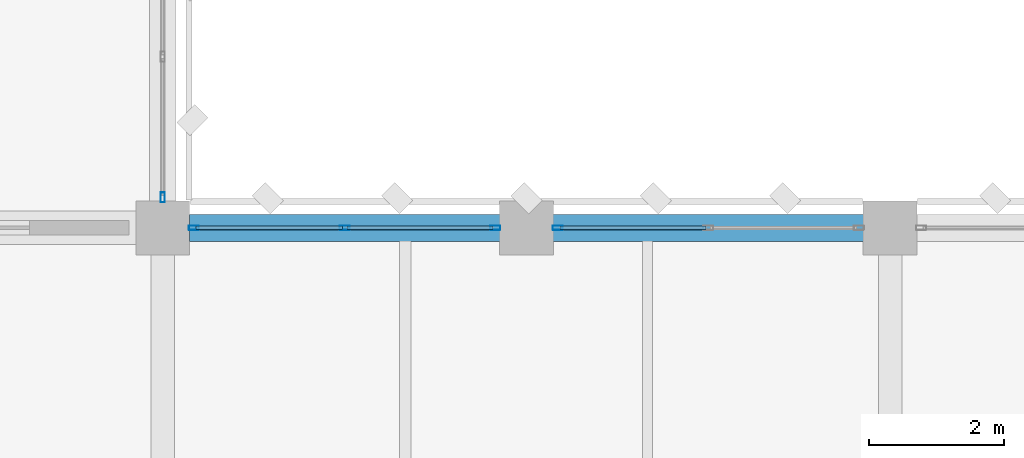
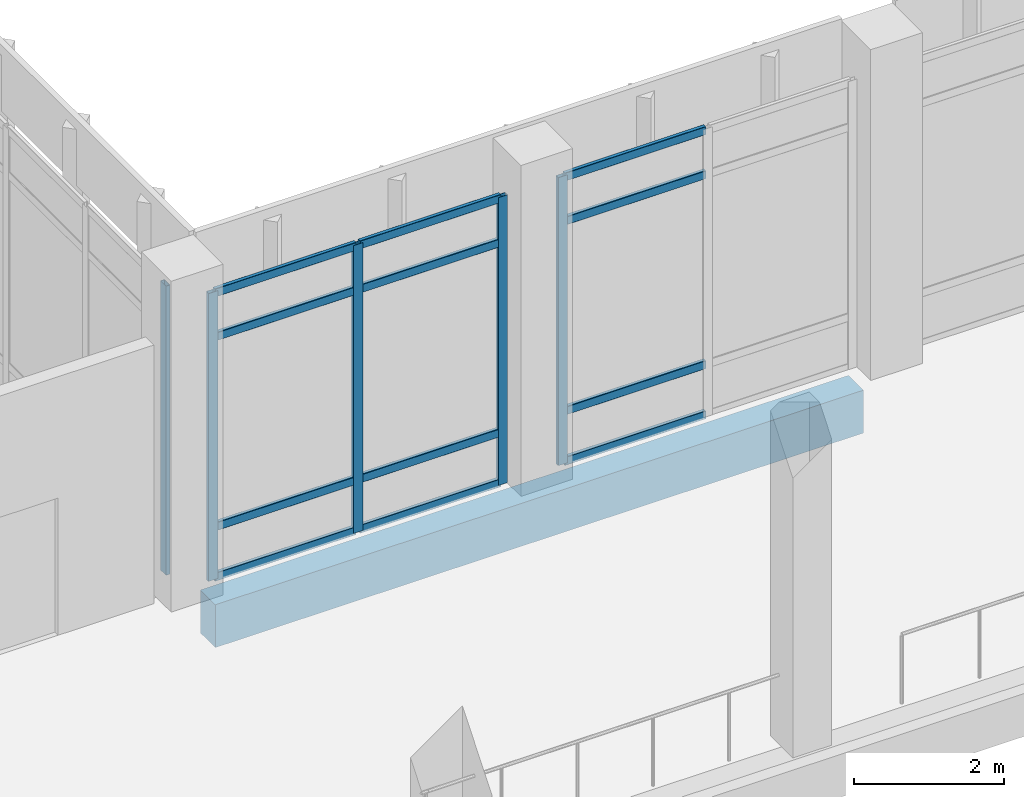
# One storey, part 20 of 180: 17 members, 1 beam, 3 elements without a shape of their own.
"""IFC4 building model written with IfcOpenShell, lengths in metres."""

from ifc_helpers import new_model, si_unit, direction, frame, origin, origin_2d, place, context, subcontext, project, spatial, rectangle, hollow_rectangle, extrude, material, material_profile, profile_set, type_object, element, aggregate, save


model = new_model("IFC4")

# Units and contexts
model_context = context("Model", 3, precision=1e-05, world=origin(), true_north=direction((0.0, 1.0)))
body_context = subcontext(model_context, "Body", "Model", "MODEL_VIEW")
ifc_project = project(units=[si_unit("LENGTHUNIT", "METRE"), si_unit("AREAUNIT", "SQUARE_METRE"), si_unit("VOLUMEUNIT", "CUBIC_METRE"), si_unit("PLANEANGLEUNIT", "RADIAN"), si_unit("MASSUNIT", "GRAM", prefix="KILO")], contexts=[model_context])

# Site, building, storey
site_placement = place(None, origin())
site = spatial("IfcSite", under=ifc_project, at=site_placement, CompositionType="ELEMENT")
building_placement = place(site_placement, origin())
building = spatial("IfcBuilding", under=site, at=building_placement, Name="Lusvemor Sports Hall", CompositionType="ELEMENT")
storey_placement = place(building_placement, frame((0.0, 0.0, 5.39990234375)))
storey = spatial("IfcBuildingStorey", under=building, at=storey_placement, Name="L01", CompositionType="ELEMENT", Elevation=5.39990234375)

# Curtain wall, members
ifc_material_1 = material(Name="Thermally broken bronze-anodized aluminium", Category="aluminium")
curtain_wall_type_1 = type_object("IfcCurtainWallType", Name="CW_COURT_C", PredefinedType="NOTDEFINED", material=ifc_material_1)
curtain_wall_1_placement = place(storey_placement, origin())
curtain_wall_1 = element("IfcCurtainWall", 1, at=curtain_wall_1_placement, inside=storey, type_object=curtain_wall_type_1, Name="Curtain Wall CW-V1N-L01-2-A", PredefinedType="NOTDEFINED")
ifc_material_2 = material(Name="Thermally broken bronze-anodized aluminium", Category="aluminium")
ifc_material_profile_1 = material_profile(ifc_material_2, hollow_rectangle(XDim=0.06494140625, YDim=0.14990234375, WallThickness=0.00390625, InnerFilletRadius=0.00390625, OuterFilletRadius=0.008056640625, at=origin_2d()), Name="CWMUL150x65x4")
ifc_profile_set_1 = profile_set([ifc_material_profile_1], Name="Thermally broken bronze-anodized aluminium")
member_type_1 = type_object("IfcMemberType", Name="CW_MUL_B", PredefinedType="MULLION", material=ifc_profile_set_1)
member_1_placement = place(storey_placement, frame((22.0625, 46.800048828125, 0.0), z_axis=(0.0, 0.0, 1.0), x_axis=(0.0, 1.0, 0.0)))
member_1 = element("IfcMember", 2, at=member_1_placement, type_object=member_type_1, Name="CW03 mullion 1", PredefinedType="MULLION", context=body_context, shape_type="SweptSolid", body=[
    extrude(hollow_rectangle(XDim=0.06494140625, YDim=0.14990234375, WallThickness=0.00390625, InnerFilletRadius=0.00390625, OuterFilletRadius=0.008056640625, at=origin_2d()), origin(), (0.0, 0.0, 1.0), 4.7001953125),
])
member_2_placement = place(storey_placement, frame((24.300048828125, 46.800048828125, 0.0), z_axis=(0.0, 0.0, 1.0), x_axis=(0.0, 1.0, 0.0)))
member_2 = element("IfcMember", 3, at=member_2_placement, type_object=member_type_1, Name="CW03 mullion 2", PredefinedType="MULLION", context=body_context, shape_type="SweptSolid", body=[
    extrude(hollow_rectangle(XDim=0.06494140625, YDim=0.14990234375, WallThickness=0.00390625, InnerFilletRadius=0.00390625, OuterFilletRadius=0.008056640625, at=origin_2d()), origin(), (0.0, 0.0, 1.0), 4.7001953125),
])
member_3_placement = place(storey_placement, frame((26.53759765625, 46.800048828125, 0.0), z_axis=(0.0, 0.0, 1.0), x_axis=(0.0, 1.0, 0.0)))
member_3 = element("IfcMember", 4, at=member_3_placement, type_object=member_type_1, Name="CW03 mullion 3", PredefinedType="MULLION", context=body_context, shape_type="SweptSolid", body=[
    extrude(hollow_rectangle(XDim=0.06494140625, YDim=0.14990234375, WallThickness=0.00390625, InnerFilletRadius=0.00390625, OuterFilletRadius=0.008056640625, at=origin_2d()), origin(), (0.0, 0.0, 1.0), 4.7001953125),
])

# Curtain wall, member
curtain_wall_2_placement = place(storey_placement, origin())
curtain_wall_2 = element("IfcCurtainWall", 5, at=curtain_wall_2_placement, inside=storey, type_object=curtain_wall_type_1, Name="Curtain Wall CW-V1N-L01-2-B", PredefinedType="NOTDEFINED")
member_4_placement = place(storey_placement, frame((27.46240234375, 46.800048828125, 0.0), z_axis=(0.0, 0.0, 1.0), x_axis=(0.0, 1.0, 0.0)))
member_4 = element("IfcMember", 6, at=member_4_placement, type_object=member_type_1, Name="CW03 mullion 1", PredefinedType="MULLION", context=body_context, shape_type="SweptSolid", body=[
    extrude(hollow_rectangle(XDim=0.06494140625, YDim=0.14990234375, WallThickness=0.00390625, InnerFilletRadius=0.00390625, OuterFilletRadius=0.008056640625, at=origin_2d()), origin(), (0.0, 0.0, 1.0), 4.7001953125),
])

ifc_material_3 = material(Name="Thermally broken bronze-anodized aluminium", Category="aluminium")
curtain_wall_type_2 = type_object("IfcCurtainWallType", Name="CW_WING_B", PredefinedType="NOTDEFINED", material=ifc_material_3)
curtain_wall_3_placement = place(storey_placement, origin())
curtain_wall_3 = element("IfcCurtainWall", 7, at=curtain_wall_3_placement, inside=storey, type_object=curtain_wall_type_2, Name="Curtain Wall CW-L01-E-4-0", PredefinedType="NOTDEFINED")
member_5_placement = place(storey_placement, frame((21.60009765625, 47.25244140625, 0.0), z_axis=(0.0, 0.0, 1.0), x_axis=(1.0, 0.0, 0.0)))
member_5 = element("IfcMember", 8, at=member_5_placement, type_object=member_type_1, Name="CW02 mullion 4", PredefinedType="MULLION", context=body_context, shape_type="SweptSolid", body=[
    extrude(hollow_rectangle(XDim=0.06494140625, YDim=0.14990234375, WallThickness=0.00390625, InnerFilletRadius=0.00390625, OuterFilletRadius=0.008056640625, at=origin_2d()), origin(), (0.0, 0.0, 1.0), 4.72021484375),
])
aggregate(curtain_wall_3, [member_5])

# Member
ifc_material_4 = material(Name="Thermally broken bronze-anodized aluminium", Category="aluminium")
ifc_material_profile_2 = material_profile(ifc_material_4, hollow_rectangle(XDim=0.06005859375, YDim=0.135009765625, WallThickness=0.00390625, InnerFilletRadius=0.00390625, OuterFilletRadius=0.008056640625, at=origin_2d()), Name="CWTRN135x60x4")
ifc_profile_set_2 = profile_set([ifc_material_profile_2], Name="Thermally broken bronze-anodized aluminium")
member_type_2 = type_object("IfcMemberType", Name="CW_TRN_B", PredefinedType="USERDEFINED", material=ifc_profile_set_2)
member_6_placement = place(storey_placement, frame((22.094970703125, 46.800048828125, 0.030029296875), z_axis=(1.0, 0.0, 0.0), x_axis=(0.0, 1.0, 0.0)))
member_6 = element("IfcMember", 9, at=member_6_placement, type_object=member_type_2, Name="CW03 transom 1.1", ObjectType="TRANSOM", PredefinedType="USERDEFINED", context=body_context, shape_type="SweptSolid", body=[
    extrude(hollow_rectangle(XDim=0.06005859375, YDim=0.135009765625, WallThickness=0.00390625, InnerFilletRadius=0.00390625, OuterFilletRadius=0.008056640625, at=origin_2d()), origin(), (0.0, 0.0, 1.0), 2.172607421875),
])

member_7_placement = place(storey_placement, frame((22.094970703125, 46.800048828125, 0.85009765625), z_axis=(1.0, 0.0, 0.0), x_axis=(0.0, 1.0, 0.0)))
member_7 = element("IfcMember", 10, at=member_7_placement, type_object=member_type_2, Name="CW03 transom 1.2", ObjectType="TRANSOM", PredefinedType="USERDEFINED", context=body_context, shape_type="SweptSolid", body=[
    extrude(hollow_rectangle(XDim=0.06005859375, YDim=0.135009765625, WallThickness=0.00390625, InnerFilletRadius=0.00390625, OuterFilletRadius=0.008056640625, at=origin_2d()), origin(), (0.0, 0.0, 1.0), 2.172607421875),
])

member_8_placement = place(storey_placement, frame((22.094970703125, 46.800048828125, 3.9501953125), z_axis=(1.0, 0.0, 0.0), x_axis=(0.0, 1.0, 0.0)))
member_8 = element("IfcMember", 11, at=member_8_placement, type_object=member_type_2, Name="CW03 transom 1.3", ObjectType="TRANSOM", PredefinedType="USERDEFINED", context=body_context, shape_type="SweptSolid", body=[
    extrude(hollow_rectangle(XDim=0.06005859375, YDim=0.135009765625, WallThickness=0.00390625, InnerFilletRadius=0.00390625, OuterFilletRadius=0.008056640625, at=origin_2d()), origin(), (0.0, 0.0, 1.0), 2.172607421875),
])

member_9_placement = place(storey_placement, frame((22.094970703125, 46.800048828125, 4.670166015625), z_axis=(1.0, 0.0, 0.0), x_axis=(0.0, 1.0, 0.0)))
member_9 = element("IfcMember", 12, at=member_9_placement, type_object=member_type_2, Name="CW03 transom 1.4", ObjectType="TRANSOM", PredefinedType="USERDEFINED", context=body_context, shape_type="SweptSolid", body=[
    extrude(hollow_rectangle(XDim=0.06005859375, YDim=0.135009765625, WallThickness=0.00390625, InnerFilletRadius=0.00390625, OuterFilletRadius=0.008056640625, at=origin_2d()), origin(), (0.0, 0.0, 1.0), 2.172607421875),
])

member_10_placement = place(storey_placement, frame((24.33251953125, 46.800048828125, 0.030029296875), z_axis=(1.0, 0.0, 0.0), x_axis=(0.0, 1.0, 0.0)))
member_10 = element("IfcMember", 13, at=member_10_placement, type_object=member_type_2, Name="CW03 transom 2.1", ObjectType="TRANSOM", PredefinedType="USERDEFINED", context=body_context, shape_type="SweptSolid", body=[
    extrude(hollow_rectangle(XDim=0.06005859375, YDim=0.135009765625, WallThickness=0.00390625, InnerFilletRadius=0.00390625, OuterFilletRadius=0.008056640625, at=origin_2d()), origin(), (0.0, 0.0, 1.0), 2.17236328125),
])

member_11_placement = place(storey_placement, frame((24.33251953125, 46.800048828125, 0.85009765625), z_axis=(1.0, 0.0, 0.0), x_axis=(0.0, 1.0, 0.0)))
member_11 = element("IfcMember", 14, at=member_11_placement, type_object=member_type_2, Name="CW03 transom 2.2", ObjectType="TRANSOM", PredefinedType="USERDEFINED", context=body_context, shape_type="SweptSolid", body=[
    extrude(hollow_rectangle(XDim=0.06005859375, YDim=0.135009765625, WallThickness=0.00390625, InnerFilletRadius=0.00390625, OuterFilletRadius=0.008056640625, at=origin_2d()), origin(), (0.0, 0.0, 1.0), 2.17236328125),
])

member_12_placement = place(storey_placement, frame((24.33251953125, 46.800048828125, 3.9501953125), z_axis=(1.0, 0.0, 0.0), x_axis=(0.0, 1.0, 0.0)))
member_12 = element("IfcMember", 15, at=member_12_placement, type_object=member_type_2, Name="CW03 transom 2.3", ObjectType="TRANSOM", PredefinedType="USERDEFINED", context=body_context, shape_type="SweptSolid", body=[
    extrude(hollow_rectangle(XDim=0.06005859375, YDim=0.135009765625, WallThickness=0.00390625, InnerFilletRadius=0.00390625, OuterFilletRadius=0.008056640625, at=origin_2d()), origin(), (0.0, 0.0, 1.0), 2.17236328125),
])

member_13_placement = place(storey_placement, frame((24.33251953125, 46.800048828125, 4.670166015625), z_axis=(1.0, 0.0, 0.0), x_axis=(0.0, 1.0, 0.0)))
member_13 = element("IfcMember", 16, at=member_13_placement, type_object=member_type_2, Name="CW03 transom 2.4", ObjectType="TRANSOM", PredefinedType="USERDEFINED", context=body_context, shape_type="SweptSolid", body=[
    extrude(hollow_rectangle(XDim=0.06005859375, YDim=0.135009765625, WallThickness=0.00390625, InnerFilletRadius=0.00390625, OuterFilletRadius=0.008056640625, at=origin_2d()), origin(), (0.0, 0.0, 1.0), 2.17236328125),
])

aggregate(curtain_wall_1, [member_1, member_2, member_3, member_6, member_7, member_8, member_9, member_10, member_11, member_12, member_13])

member_14_placement = place(storey_placement, frame((27.4951171875, 46.800048828125, 0.030029296875), z_axis=(1.0, 0.0, 0.0), x_axis=(0.0, 1.0, 0.0)))
member_14 = element("IfcMember", 17, at=member_14_placement, type_object=member_type_2, Name="CW03 transom 1.1", ObjectType="TRANSOM", PredefinedType="USERDEFINED", context=body_context, shape_type="SweptSolid", body=[
    extrude(hollow_rectangle(XDim=0.06005859375, YDim=0.135009765625, WallThickness=0.00390625, InnerFilletRadius=0.00390625, OuterFilletRadius=0.008056640625, at=origin_2d()), origin(), (0.0, 0.0, 1.0), 2.17236328125),
])

member_15_placement = place(storey_placement, frame((27.4951171875, 46.800048828125, 0.85009765625), z_axis=(1.0, 0.0, 0.0), x_axis=(0.0, 1.0, 0.0)))
member_15 = element("IfcMember", 18, at=member_15_placement, type_object=member_type_2, Name="CW03 transom 1.2", ObjectType="TRANSOM", PredefinedType="USERDEFINED", context=body_context, shape_type="SweptSolid", body=[
    extrude(hollow_rectangle(XDim=0.06005859375, YDim=0.135009765625, WallThickness=0.00390625, InnerFilletRadius=0.00390625, OuterFilletRadius=0.008056640625, at=origin_2d()), origin(), (0.0, 0.0, 1.0), 2.17236328125),
])

member_16_placement = place(storey_placement, frame((27.4951171875, 46.800048828125, 3.9501953125), z_axis=(1.0, 0.0, 0.0), x_axis=(0.0, 1.0, 0.0)))
member_16 = element("IfcMember", 19, at=member_16_placement, type_object=member_type_2, Name="CW03 transom 1.3", ObjectType="TRANSOM", PredefinedType="USERDEFINED", context=body_context, shape_type="SweptSolid", body=[
    extrude(hollow_rectangle(XDim=0.06005859375, YDim=0.135009765625, WallThickness=0.00390625, InnerFilletRadius=0.00390625, OuterFilletRadius=0.008056640625, at=origin_2d()), origin(), (0.0, 0.0, 1.0), 2.17236328125),
])

member_17_placement = place(storey_placement, frame((27.4951171875, 46.800048828125, 4.670166015625), z_axis=(1.0, 0.0, 0.0), x_axis=(0.0, 1.0, 0.0)))
member_17 = element("IfcMember", 20, at=member_17_placement, type_object=member_type_2, Name="CW03 transom 1.4", ObjectType="TRANSOM", PredefinedType="USERDEFINED", context=body_context, shape_type="SweptSolid", body=[
    extrude(hollow_rectangle(XDim=0.06005859375, YDim=0.135009765625, WallThickness=0.00390625, InnerFilletRadius=0.00390625, OuterFilletRadius=0.008056640625, at=origin_2d()), origin(), (0.0, 0.0, 1.0), 2.17236328125),
])

aggregate(curtain_wall_2, [member_4, member_14, member_15, member_16, member_17])

# Beam
ifc_material_5 = material(Name="Concrete C40/50", Category="concrete")
ifc_material_profile_3 = material_profile(ifc_material_5, rectangle(XDim=0.39990234375, YDim=0.699951171875, at=origin_2d()), Name="RC400x700")
ifc_profile_set_3 = profile_set([ifc_material_profile_3], Name="Concrete C40/50")
beam_type = type_object("IfcBeamType", Name="SPAND_EXT_700", PredefinedType="SPANDREL", material=ifc_profile_set_3)
beam_placement = place(storey_placement, frame((21.99609375, 46.800048828125, -0.6298828125), z_axis=(1.0, 0.0, 0.0), x_axis=(0.0, 1.0, 0.0)))
element("IfcBeam", 21, at=beam_placement, inside=storey, type_object=beam_type, Name="Beam L01 F:3-4", PredefinedType="SPANDREL", context=body_context, shape_type="SweptSolid", body=[
    extrude(rectangle(XDim=0.39990234375, YDim=0.699951171875, at=origin_2d()), origin(), (0.0, 0.0, 1.0), 10.0078125),
])

save(model, "model.ifc")
